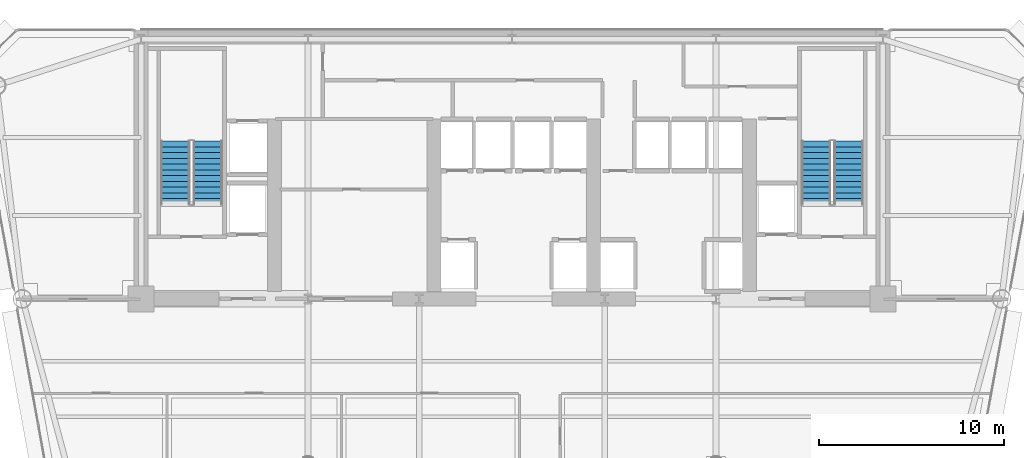
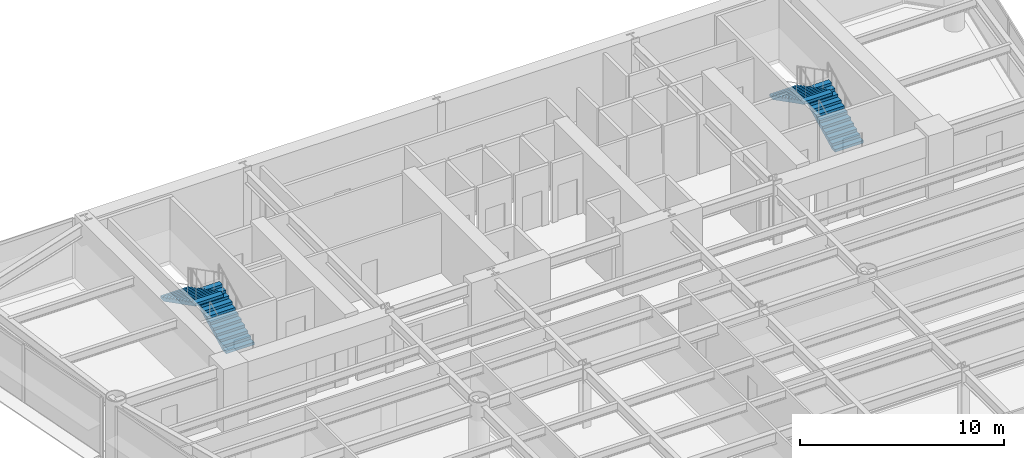
# One storey, part 10 of 14: 4 stair flights, 2 elements without a shape of their own.
"""IFC4 building model written with IfcOpenShell, lengths in metres."""

from ifc_helpers import new_model, si_unit, direction, frame, origin, place, context, subcontext, project, spatial, polyline, outline, extrude, material, type_object, element, aggregate, save


model = new_model("IFC4")

# Units and contexts
model_context = context("Model", 3, precision=1e-05, world=origin(), true_north=direction((0.0, 1.0)))
body_context = subcontext(model_context, "Body", "Model", "MODEL_VIEW")
ifc_project = project(units=[si_unit("LENGTHUNIT", "METRE"), si_unit("AREAUNIT", "SQUARE_METRE"), si_unit("VOLUMEUNIT", "CUBIC_METRE"), si_unit("PLANEANGLEUNIT", "RADIAN"), si_unit("MASSUNIT", "GRAM", prefix="KILO")], contexts=[model_context])

# Site, building, storey
site_placement = place(None, origin())
site = spatial("IfcSite", under=ifc_project, at=site_placement, CompositionType="ELEMENT")
building_placement = place(site_placement, origin())
building = spatial("IfcBuilding", under=site, at=building_placement, Name="Vaeldorn Concourse Tower", CompositionType="ELEMENT")
storey_placement = place(building_placement, frame((0.0, 0.0, 107.199951171875)))
storey = spatial("IfcBuildingStorey", under=building, at=storey_placement, Name="L27", CompositionType="ELEMENT", Elevation=107.199951171875)

# Stair, stair flights
ifc_material = material(Name="Precast concrete C40/50", Category="concrete")
stair_type = type_object("IfcStairType", Name="STR-DOG-24x158", PredefinedType="HALF_TURN_STAIR", material=ifc_material)
stair_1_placement = place(storey_placement, origin())
stair_1 = element("IfcStair", 1, at=stair_1_placement, inside=storey, type_object=stair_type, Name="L27 West Core Exit Stair ST-1", PredefinedType="HALF_TURN_STAIR")
stair_flight_type = type_object("IfcStairFlightType", Name="STF-STR-12x158", PredefinedType="STRAIGHT", material=ifc_material)
stair_flight_1_placement = place(storey_placement, frame((17.60009765625, 41.60009765625, 0.0), z_axis=(0.0, 0.0, 1.0), x_axis=(0.0, 1.0, 0.0)))
stair_flight_1 = element("IfcStairFlight", 2, at=stair_flight_1_placement, type_object=stair_flight_type, Name="ST-1 flight 1", NumberOfRisers=12, NumberOfTreads=11, PredefinedType="STRAIGHT", RiserHeight=0.158333333, TreadLength=0.31, context=body_context, shape_type="SweptSolid", body=[
    extrude(outline(polyline([(0.0, 0.0), (0.0, 0.158447265625), (0.31005859375, 0.158447265625), (0.31005859375, 0.316650390625), (0.6201171875, 0.316650390625), (0.6201171875, 0.47509765625), (0.929931640625, 0.47509765625), (0.929931640625, 0.63330078125), (1.239990234375, 0.63330078125), (1.239990234375, 0.791748046875), (1.550048828125, 0.791748046875), (1.550048828125, 0.949951171875), (1.860107421875, 0.949951171875), (1.860107421875, 1.1083984375), (2.169921875, 1.1083984375), (2.169921875, 1.2666015625), (2.47998046875, 1.2666015625), (2.47998046875, 1.425048828125), (2.7900390625, 1.425048828125), (2.7900390625, 1.583251953125), (3.10009765625, 1.583251953125), (3.10009765625, 1.74169921875), (3.409912109375, 1.74169921875), (3.409912109375, 1.89990234375), (3.409912109375, 1.5732421875), (0.32958984375, 0.0), (0.0, 0.0)])), frame((0.0, 0.800048828125, 0.0), z_axis=(0.0, -1.0, 0.0), x_axis=(1.0, 0.0, 0.0)), (0.0, 0.0, 1.0), 1.60009765625),
])
stair_flight_2_placement = place(storey_placement, frame((15.85009765625, 45.010009765625, 1.900146484375), z_axis=(0.0, 0.0, 1.0), x_axis=(0.0, -1.0, 0.0)))
stair_flight_2 = element("IfcStairFlight", 3, at=stair_flight_2_placement, type_object=stair_flight_type, Name="ST-1 flight 2", NumberOfRisers=12, NumberOfTreads=11, PredefinedType="STRAIGHT", RiserHeight=0.158333333, TreadLength=0.31, context=body_context, shape_type="SweptSolid", body=[
    extrude(outline(polyline([(0.0, 0.0), (0.0, 0.158447265625), (0.31005859375, 0.158447265625), (0.31005859375, 0.316650390625), (0.6201171875, 0.316650390625), (0.6201171875, 0.47509765625), (0.929931640625, 0.47509765625), (0.929931640625, 0.63330078125), (1.239990234375, 0.63330078125), (1.239990234375, 0.791748046875), (1.550048828125, 0.791748046875), (1.550048828125, 0.949951171875), (1.860107421875, 0.949951171875), (1.860107421875, 1.1083984375), (2.169921875, 1.1083984375), (2.169921875, 1.2666015625), (2.47998046875, 1.2666015625), (2.47998046875, 1.425048828125), (2.7900390625, 1.425048828125), (2.7900390625, 1.583251953125), (3.10009765625, 1.583251953125), (3.10009765625, 1.74169921875), (3.409912109375, 1.74169921875), (3.409912109375, 1.89990234375), (3.409912109375, 1.5732421875), (0.32958984375, 0.0), (0.0, 0.0)])), frame((0.0, 0.800048828125, 0.0), z_axis=(0.0, -1.0, 0.0), x_axis=(1.0, 0.0, 0.0)), (0.0, 0.0, 1.0), 1.60009765625),
])
aggregate(stair_1, [stair_flight_1, stair_flight_2])

stair_2_placement = place(storey_placement, origin())
stair_2 = element("IfcStair", 4, at=stair_2_placement, inside=storey, type_object=stair_type, Name="L27 East Core Exit Stair ST-2", PredefinedType="HALF_TURN_STAIR")
stair_flight_3_placement = place(storey_placement, frame((52.14990234375, 41.60009765625, 0.0), z_axis=(0.0, 0.0, 1.0), x_axis=(0.0, 1.0, 0.0)))
stair_flight_3 = element("IfcStairFlight", 5, at=stair_flight_3_placement, type_object=stair_flight_type, Name="ST-2 flight 1", NumberOfRisers=12, NumberOfTreads=11, PredefinedType="STRAIGHT", RiserHeight=0.158333333, TreadLength=0.31, context=body_context, shape_type="SweptSolid", body=[
    extrude(outline(polyline([(0.0, 0.0), (0.0, 0.158447265625), (0.31005859375, 0.158447265625), (0.31005859375, 0.316650390625), (0.6201171875, 0.316650390625), (0.6201171875, 0.47509765625), (0.929931640625, 0.47509765625), (0.929931640625, 0.63330078125), (1.239990234375, 0.63330078125), (1.239990234375, 0.791748046875), (1.550048828125, 0.791748046875), (1.550048828125, 0.949951171875), (1.860107421875, 0.949951171875), (1.860107421875, 1.1083984375), (2.169921875, 1.1083984375), (2.169921875, 1.2666015625), (2.47998046875, 1.2666015625), (2.47998046875, 1.425048828125), (2.7900390625, 1.425048828125), (2.7900390625, 1.583251953125), (3.10009765625, 1.583251953125), (3.10009765625, 1.74169921875), (3.409912109375, 1.74169921875), (3.409912109375, 1.89990234375), (3.409912109375, 1.5732421875), (0.32958984375, 0.0), (0.0, 0.0)])), frame((0.0, 0.800048828125, 0.0), z_axis=(0.0, -1.0, 0.0), x_axis=(1.0, 0.0, 0.0)), (0.0, 0.0, 1.0), 1.60009765625),
])
stair_flight_4_placement = place(storey_placement, frame((50.39990234375, 45.010009765625, 1.900146484375), z_axis=(0.0, 0.0, 1.0), x_axis=(0.0, -1.0, 0.0)))
stair_flight_4 = element("IfcStairFlight", 6, at=stair_flight_4_placement, type_object=stair_flight_type, Name="ST-2 flight 2", NumberOfRisers=12, NumberOfTreads=11, PredefinedType="STRAIGHT", RiserHeight=0.158333333, TreadLength=0.31, context=body_context, shape_type="SweptSolid", body=[
    extrude(outline(polyline([(0.0, 0.0), (0.0, 0.158447265625), (0.31005859375, 0.158447265625), (0.31005859375, 0.316650390625), (0.6201171875, 0.316650390625), (0.6201171875, 0.47509765625), (0.929931640625, 0.47509765625), (0.929931640625, 0.63330078125), (1.239990234375, 0.63330078125), (1.239990234375, 0.791748046875), (1.550048828125, 0.791748046875), (1.550048828125, 0.949951171875), (1.860107421875, 0.949951171875), (1.860107421875, 1.1083984375), (2.169921875, 1.1083984375), (2.169921875, 1.2666015625), (2.47998046875, 1.2666015625), (2.47998046875, 1.425048828125), (2.7900390625, 1.425048828125), (2.7900390625, 1.583251953125), (3.10009765625, 1.583251953125), (3.10009765625, 1.74169921875), (3.409912109375, 1.74169921875), (3.409912109375, 1.89990234375), (3.409912109375, 1.5732421875), (0.32958984375, 0.0), (0.0, 0.0)])), frame((0.0, 0.800048828125, 0.0), z_axis=(0.0, -1.0, 0.0), x_axis=(1.0, 0.0, 0.0)), (0.0, 0.0, 1.0), 1.60009765625),
])
aggregate(stair_2, [stair_flight_3, stair_flight_4])

save(model, "model.ifc")
